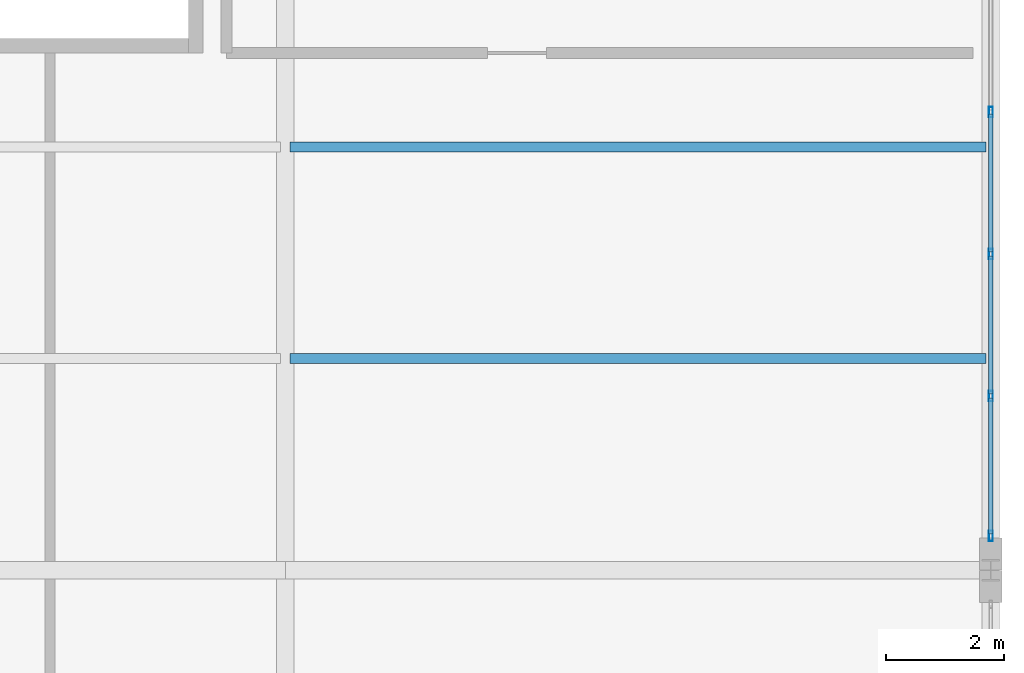
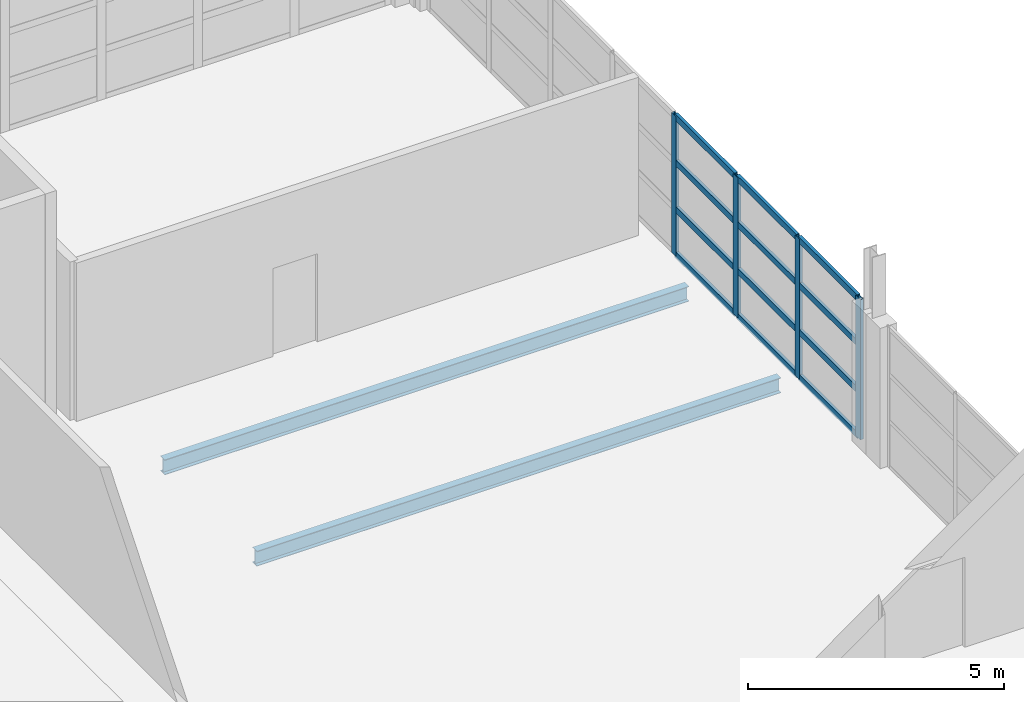
# One storey, part 45 of 86: 16 members, 2 beams, 1 element without a shape of its own.
"""IFC4 building model written with IfcOpenShell, lengths in metres."""

from ifc_helpers import new_model, si_unit, direction, frame, origin, origin_2d, place, context, subcontext, project, spatial, hollow_rectangle, i_section, extrude, material, layer, layer_set, material_profile, profile_set, type_object, element, aggregate, save


model = new_model("IFC4")

# Units and contexts
model_context = context("Model", 3, precision=1e-05, world=origin(), true_north=direction((0.0, 1.0)))
body_context = subcontext(model_context, "Body", "Model", "MODEL_VIEW")
ifc_project = project(units=[si_unit("LENGTHUNIT", "METRE"), si_unit("AREAUNIT", "SQUARE_METRE"), si_unit("VOLUMEUNIT", "CUBIC_METRE"), si_unit("PLANEANGLEUNIT", "RADIAN"), si_unit("MASSUNIT", "GRAM", prefix="KILO")], contexts=[model_context])

# Site, building, storey
site_placement = place(None, origin())
site = spatial("IfcSite", under=ifc_project, at=site_placement, CompositionType="ELEMENT")
building_placement = place(site_placement, origin())
building = spatial("IfcBuilding", under=site, at=building_placement, Name="Zilviju Railside Exhibition Hall", CompositionType="ELEMENT")
storey_placement = place(building_placement, frame((0.0, 0.0, 12.60009765625)))
storey = spatial("IfcBuildingStorey", under=building, at=storey_placement, Name="L04", CompositionType="ELEMENT", Elevation=12.60009765625)

# Beams
ifc_material_1 = material(Name="Steel S355J2", Category="steel")
ifc_material_profile_1 = material_profile(ifc_material_1, i_section(OverallWidth=0.169921875, OverallDepth=0.360107421875, WebThickness=0.008056640625, FlangeThickness=0.0126953125, at=origin_2d()), Name="IPE 360")
ifc_profile_set_1 = profile_set([ifc_material_profile_1], Name="Steel S355J2")
beam_type = type_object("IfcBeamType", Name="BM-IPE360", PredefinedType="JOIST", material=ifc_profile_set_1)
for number, where, z_axis, x_axis, name in (
    (1, (204.080078125, 123.60009765625, -0.510009765625), (1.0, 0.0, 0.0), (0.0, 1.0, 0.0), "Composite Floor Joist L04 Y=123.60 (204.0..216.0)"),
    (2, (204.080078125, 127.199951171875, -0.510009765625), (1.0, 0.0, 0.0), (0.0, 1.0, 0.0), "Composite Floor Joist L04 Y=127.20 (204.0..216.0)"),
):
    element("IfcBeam", number, at=place(storey_placement, frame(where, z_axis=z_axis, x_axis=x_axis)), inside=storey, type_object=beam_type, Name=name, PredefinedType="JOIST", context=body_context, shape_type="SweptSolid", body=[
        extrude(i_section(OverallWidth=0.169921875, OverallDepth=0.360107421875, WebThickness=0.008056640625, FlangeThickness=0.0126953125, at=origin_2d()), origin(), (0.0, 0.0, 1.0), 11.83984375),
    ])

# Curtain wall, members
ifc_material_2 = material(Name="Thermally broken aluminium-steel triple-glazed curtain wall", Category="steel")
ifc_layer = layer(ifc_material_2, 0.179931640625)
ifc_layer_set = layer_set([ifc_layer], Name="Thermally broken aluminium-steel triple-glazed curtain wall")
curtain_wall_type = type_object("IfcCurtainWallType", Name="CW-BAY-15", PredefinedType="USERDEFINED", material=ifc_layer_set)
curtain_wall_placement = place(storey_placement, origin())
curtain_wall = element("IfcCurtainWall", 3, at=curtain_wall_placement, inside=storey, type_object=curtain_wall_type, Name="North Hall East Glazed Gable L04 (120..138)", ObjectType="GLAZED CURTAIN WALL", PredefinedType="USERDEFINED")
ifc_material_3 = material(Name="Thermally broken anodized aluminium mullion", Category="aluminium")
ifc_material_profile_2 = material_profile(ifc_material_3, hollow_rectangle(XDim=0.070068359375, YDim=0.179931640625, WallThickness=0.0048828125, at=origin_2d()), Name="MULLION 180x70x5")
ifc_profile_set_2 = profile_set([ifc_material_profile_2], Name="Thermally broken anodized aluminium mullion")
member_type_1 = type_object("IfcMemberType", Name="CWM-70x180", PredefinedType="MULLION", material=ifc_profile_set_2)
member_1_placement = place(storey_placement, frame((216.0, 127.79296875, 0.0), z_axis=(0.0, 0.0, 1.0), x_axis=(1.0, 0.0, 0.0)))
member_1 = element("IfcMember", 4, at=member_1_placement, type_object=member_type_1, Name="CW-15 mullion 5", PredefinedType="MULLION", context=body_context, shape_type="SweptSolid", body=[
    extrude(hollow_rectangle(XDim=0.070068359375, YDim=0.179931640625, WallThickness=0.0048828125, at=origin_2d()), origin(), (0.0, 0.0, 1.0), 3.349853515625),
])
member_2_placement = place(storey_placement, frame((216.0, 125.378662109375, 0.0), z_axis=(0.0, 0.0, 1.0), x_axis=(1.0, 0.0, 0.0)))
member_2 = element("IfcMember", 5, at=member_2_placement, type_object=member_type_1, Name="CW-15 mullion 6", PredefinedType="MULLION", context=body_context, shape_type="SweptSolid", body=[
    extrude(hollow_rectangle(XDim=0.070068359375, YDim=0.179931640625, WallThickness=0.0048828125, at=origin_2d()), origin(), (0.0, 0.0, 1.0), 3.349853515625),
])
member_3_placement = place(storey_placement, frame((216.0, 122.96435546875, 0.0), z_axis=(0.0, 0.0, 1.0), x_axis=(1.0, 0.0, 0.0)))
member_3 = element("IfcMember", 6, at=member_3_placement, type_object=member_type_1, Name="CW-15 mullion 7", PredefinedType="MULLION", context=body_context, shape_type="SweptSolid", body=[
    extrude(hollow_rectangle(XDim=0.070068359375, YDim=0.179931640625, WallThickness=0.0048828125, at=origin_2d()), origin(), (0.0, 0.0, 1.0), 3.349853515625),
])
member_4_placement = place(storey_placement, frame((216.0, 120.5849609375, 0.0), z_axis=(0.0, 0.0, 1.0), x_axis=(1.0, 0.0, 0.0)))
member_4 = element("IfcMember", 7, at=member_4_placement, type_object=member_type_1, Name="CW-15 mullion 8", PredefinedType="MULLION", context=body_context, shape_type="SweptSolid", body=[
    extrude(hollow_rectangle(XDim=0.070068359375, YDim=0.179931640625, WallThickness=0.0048828125, at=origin_2d()), origin(), (0.0, 0.0, 1.0), 3.349853515625),
])
ifc_material_4 = material(Name="Thermally broken anodized aluminium transom", Category="aluminium")
ifc_material_profile_3 = material_profile(ifc_material_4, hollow_rectangle(XDim=0.070068359375, YDim=0.14990234375, WallThickness=0.0048828125, at=origin_2d()), Name="TRANSOM 150x70x5")
ifc_profile_set_3 = profile_set([ifc_material_profile_3], Name="Thermally broken anodized aluminium transom")
member_type_2 = type_object("IfcMemberType", Name="CWT-70x150", PredefinedType="USERDEFINED", material=ifc_profile_set_3)
member_5_placement = place(storey_placement, frame((216.0, 127.7578125, 0.034912109375), z_axis=(0.0, -1.0, 0.0), x_axis=(1.0, 0.0, 0.0)))
member_5 = element("IfcMember", 8, at=member_5_placement, type_object=member_type_2, Name="CW-15 transom 5.1", ObjectType="TRANSOM", PredefinedType="USERDEFINED", context=body_context, shape_type="SweptSolid", body=[
    extrude(hollow_rectangle(XDim=0.070068359375, YDim=0.14990234375, WallThickness=0.0048828125, at=origin_2d()), origin(), (0.0, 0.0, 1.0), 2.34423828125),
])
member_6_placement = place(storey_placement, frame((216.0, 127.7578125, 1.116943359375), z_axis=(0.0, -1.0, 0.0), x_axis=(1.0, 0.0, 0.0)))
member_6 = element("IfcMember", 9, at=member_6_placement, type_object=member_type_2, Name="CW-15 transom 5.2", ObjectType="TRANSOM", PredefinedType="USERDEFINED", context=body_context, shape_type="SweptSolid", body=[
    extrude(hollow_rectangle(XDim=0.070068359375, YDim=0.14990234375, WallThickness=0.0048828125, at=origin_2d()), origin(), (0.0, 0.0, 1.0), 2.34423828125),
])
member_7_placement = place(storey_placement, frame((216.0, 127.7578125, 2.23291015625), z_axis=(0.0, -1.0, 0.0), x_axis=(1.0, 0.0, 0.0)))
member_7 = element("IfcMember", 10, at=member_7_placement, type_object=member_type_2, Name="CW-15 transom 5.3", ObjectType="TRANSOM", PredefinedType="USERDEFINED", context=body_context, shape_type="SweptSolid", body=[
    extrude(hollow_rectangle(XDim=0.070068359375, YDim=0.14990234375, WallThickness=0.0048828125, at=origin_2d()), origin(), (0.0, 0.0, 1.0), 2.34423828125),
])
member_8_placement = place(storey_placement, frame((216.0, 127.7578125, 3.31494140625), z_axis=(0.0, -1.0, 0.0), x_axis=(1.0, 0.0, 0.0)))
member_8 = element("IfcMember", 11, at=member_8_placement, type_object=member_type_2, Name="CW-15 transom 5.4", ObjectType="TRANSOM", PredefinedType="USERDEFINED", context=body_context, shape_type="SweptSolid", body=[
    extrude(hollow_rectangle(XDim=0.070068359375, YDim=0.14990234375, WallThickness=0.0048828125, at=origin_2d()), origin(), (0.0, 0.0, 1.0), 2.34423828125),
])
member_9_placement = place(storey_placement, frame((216.0, 125.343505859375, 0.034912109375), z_axis=(0.0, -1.0, 0.0), x_axis=(1.0, 0.0, 0.0)))
member_9 = element("IfcMember", 12, at=member_9_placement, type_object=member_type_2, Name="CW-15 transom 6.1", ObjectType="TRANSOM", PredefinedType="USERDEFINED", context=body_context, shape_type="SweptSolid", body=[
    extrude(hollow_rectangle(XDim=0.070068359375, YDim=0.14990234375, WallThickness=0.0048828125, at=origin_2d()), origin(), (0.0, 0.0, 1.0), 2.34423828125),
])
member_10_placement = place(storey_placement, frame((216.0, 125.343505859375, 1.116943359375), z_axis=(0.0, -1.0, 0.0), x_axis=(1.0, 0.0, 0.0)))
member_10 = element("IfcMember", 13, at=member_10_placement, type_object=member_type_2, Name="CW-15 transom 6.2", ObjectType="TRANSOM", PredefinedType="USERDEFINED", context=body_context, shape_type="SweptSolid", body=[
    extrude(hollow_rectangle(XDim=0.070068359375, YDim=0.14990234375, WallThickness=0.0048828125, at=origin_2d()), origin(), (0.0, 0.0, 1.0), 2.34423828125),
])
member_11_placement = place(storey_placement, frame((216.0, 125.343505859375, 2.23291015625), z_axis=(0.0, -1.0, 0.0), x_axis=(1.0, 0.0, 0.0)))
member_11 = element("IfcMember", 14, at=member_11_placement, type_object=member_type_2, Name="CW-15 transom 6.3", ObjectType="TRANSOM", PredefinedType="USERDEFINED", context=body_context, shape_type="SweptSolid", body=[
    extrude(hollow_rectangle(XDim=0.070068359375, YDim=0.14990234375, WallThickness=0.0048828125, at=origin_2d()), origin(), (0.0, 0.0, 1.0), 2.34423828125),
])
member_12_placement = place(storey_placement, frame((216.0, 125.343505859375, 3.31494140625), z_axis=(0.0, -1.0, 0.0), x_axis=(1.0, 0.0, 0.0)))
member_12 = element("IfcMember", 15, at=member_12_placement, type_object=member_type_2, Name="CW-15 transom 6.4", ObjectType="TRANSOM", PredefinedType="USERDEFINED", context=body_context, shape_type="SweptSolid", body=[
    extrude(hollow_rectangle(XDim=0.070068359375, YDim=0.14990234375, WallThickness=0.0048828125, at=origin_2d()), origin(), (0.0, 0.0, 1.0), 2.34423828125),
])
member_13_placement = place(storey_placement, frame((216.0, 122.92919921875, 0.034912109375), z_axis=(0.0, -1.0, 0.0), x_axis=(1.0, 0.0, 0.0)))
member_13 = element("IfcMember", 16, at=member_13_placement, type_object=member_type_2, Name="CW-15 transom 7.1", ObjectType="TRANSOM", PredefinedType="USERDEFINED", context=body_context, shape_type="SweptSolid", body=[
    extrude(hollow_rectangle(XDim=0.070068359375, YDim=0.14990234375, WallThickness=0.0048828125, at=origin_2d()), origin(), (0.0, 0.0, 1.0), 2.30908203125),
])
member_14_placement = place(storey_placement, frame((216.0, 122.92919921875, 1.116943359375), z_axis=(0.0, -1.0, 0.0), x_axis=(1.0, 0.0, 0.0)))
member_14 = element("IfcMember", 17, at=member_14_placement, type_object=member_type_2, Name="CW-15 transom 7.2", ObjectType="TRANSOM", PredefinedType="USERDEFINED", context=body_context, shape_type="SweptSolid", body=[
    extrude(hollow_rectangle(XDim=0.070068359375, YDim=0.14990234375, WallThickness=0.0048828125, at=origin_2d()), origin(), (0.0, 0.0, 1.0), 2.30908203125),
])
member_15_placement = place(storey_placement, frame((216.0, 122.92919921875, 2.23291015625), z_axis=(0.0, -1.0, 0.0), x_axis=(1.0, 0.0, 0.0)))
member_15 = element("IfcMember", 18, at=member_15_placement, type_object=member_type_2, Name="CW-15 transom 7.3", ObjectType="TRANSOM", PredefinedType="USERDEFINED", context=body_context, shape_type="SweptSolid", body=[
    extrude(hollow_rectangle(XDim=0.070068359375, YDim=0.14990234375, WallThickness=0.0048828125, at=origin_2d()), origin(), (0.0, 0.0, 1.0), 2.30908203125),
])
member_16_placement = place(storey_placement, frame((216.0, 122.92919921875, 3.31494140625), z_axis=(0.0, -1.0, 0.0), x_axis=(1.0, 0.0, 0.0)))
member_16 = element("IfcMember", 19, at=member_16_placement, type_object=member_type_2, Name="CW-15 transom 7.4", ObjectType="TRANSOM", PredefinedType="USERDEFINED", context=body_context, shape_type="SweptSolid", body=[
    extrude(hollow_rectangle(XDim=0.070068359375, YDim=0.14990234375, WallThickness=0.0048828125, at=origin_2d()), origin(), (0.0, 0.0, 1.0), 2.30908203125),
])
aggregate(curtain_wall, [member_1, member_2, member_3, member_4, member_5, member_6, member_7, member_8, member_9, member_10, member_11, member_12, member_13, member_14, member_15, member_16])

save(model, "model.ifc")
